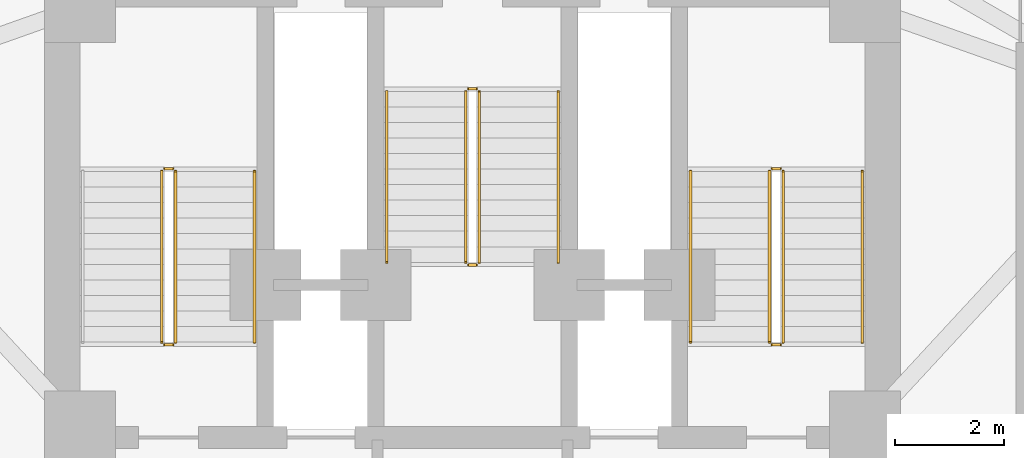
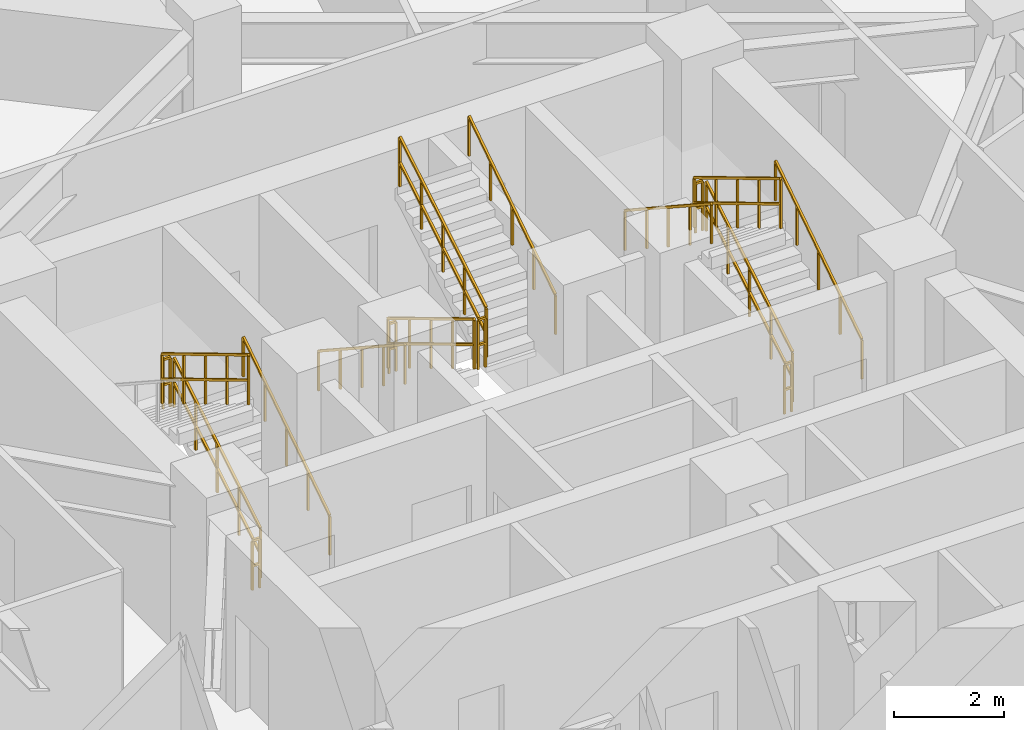
# One storey, part 13 of 14: 17 railings.
"""IFC4 building model written with IfcOpenShell, lengths in metres."""

from ifc_helpers import new_model, si_unit, direction, frame, origin, origin_2d, place, context, subcontext, project, spatial, rectangle, extrude, material, type_object, element, save


model = new_model("IFC4")

# Units and contexts
model_context = context("Model", 3, precision=1e-05, world=origin(), true_north=direction((0.0, 1.0)))
body_context = subcontext(model_context, "Body", "Model", "MODEL_VIEW")
ifc_project = project(units=[si_unit("LENGTHUNIT", "METRE"), si_unit("AREAUNIT", "SQUARE_METRE"), si_unit("VOLUMEUNIT", "CUBIC_METRE"), si_unit("PLANEANGLEUNIT", "RADIAN"), si_unit("MASSUNIT", "GRAM", prefix="KILO")], contexts=[model_context])

# Site, building, storey
site_placement = place(None, origin())
site = spatial("IfcSite", under=ifc_project, at=site_placement, CompositionType="ELEMENT")
building_placement = place(site_placement, origin())
building = spatial("IfcBuilding", under=site, at=building_placement, Name="Apsidion Concourse Tower", CompositionType="ELEMENT")
storey_placement = place(building_placement, frame((0.0, 0.0, 190.10009765625)))
storey = spatial("IfcBuildingStorey", under=building, at=storey_placement, Name="L44", CompositionType="ELEMENT", Elevation=190.10009765625)

# Railings
ifc_material = material(Name="Brushed stainless steel 316", Category="steel")
railing_type_1 = type_object("IfcRailingType", Name="RL-GUARD-1100", PredefinedType="GUARDRAIL", material=ifc_material)
railing_1_placement = place(storey_placement, frame((-5.449951171875, 3.0, 0.170654296875)))
element("IfcRailing", 1, at=railing_1_placement, inside=storey, type_object=railing_type_1, Name="L44 ST1 stair guard 1", PredefinedType="GUARDRAIL", context=body_context, shape_type="SweptSolid", body=[
    extrude(rectangle(XDim=0.048095703125, YDim=0.048095703125, at=origin_2d()), frame((0.0, 0.0, 1.09619140625), z_axis=(0.0, 0.857716804754, 0.514122439544), x_axis=(-1.0, 0.0, 0.0)), (0.0, 0.0, 1.0), 3.655029296875),
    extrude(rectangle(XDim=0.048095703125, YDim=0.048095703125, at=origin_2d()), frame((0.0, 0.0, 0.5361328125), z_axis=(0.0, 0.857716804754, 0.514122439544), x_axis=(-1.0, 0.0, 0.0)), (0.0, 0.0, 1.0), 3.655029296875),
    extrude(rectangle(XDim=0.0419921875, YDim=0.0419921875, at=origin_2d()), origin(), (0.0, 0.0, 1.0), 1.072021484375),
    extrude(rectangle(XDim=0.0419921875, YDim=0.0419921875, at=origin_2d()), frame((0.0, 0.78369140625, 0.4697265625)), (0.0, 0.0, 1.0), 1.072021484375),
    extrude(rectangle(XDim=0.0419921875, YDim=0.0419921875, at=origin_2d()), frame((0.0, 1.5673828125, 0.939453125)), (0.0, 0.0, 1.0), 1.072021484375),
    extrude(rectangle(XDim=0.0419921875, YDim=0.0419921875, at=origin_2d()), frame((0.0, 2.351318359375, 1.409423828125)), (0.0, 0.0, 1.0), 1.072021484375),
    extrude(rectangle(XDim=0.0419921875, YDim=0.0419921875, at=origin_2d()), frame((0.0, 3.135009765625, 1.879150390625)), (0.0, 0.0, 1.0), 1.072021484375),
])
railing_2_placement = place(storey_placement, frame((-5.5, 6.18505859375, 2.0498046875)))
element("IfcRailing", 2, at=railing_2_placement, inside=storey, type_object=railing_type_1, Name="L44 ST1 stair guard 2", PredefinedType="GUARDRAIL", context=body_context, shape_type="SweptSolid", body=[
    extrude(rectangle(XDim=0.048095703125, YDim=0.048095703125, at=origin_2d()), frame((0.0, 0.0, 1.09619140625), z_axis=(-1.0, 0.0, 0.0), x_axis=(0.0, -1.0, 0.0)), (0.0, 0.0, 1.0), 0.14990234375),
    extrude(rectangle(XDim=0.048095703125, YDim=0.048095703125, at=origin_2d()), frame((0.0, 0.0, 0.5361328125), z_axis=(-1.0, 0.0, 0.0), x_axis=(0.0, -1.0, 0.0)), (0.0, 0.0, 1.0), 0.14990234375),
    extrude(rectangle(XDim=0.0419921875, YDim=0.0419921875, at=origin_2d()), origin(), (0.0, 0.0, 1.0), 1.072021484375),
    extrude(rectangle(XDim=0.0419921875, YDim=0.0419921875, at=origin_2d()), frame((-0.14990234375, 0.0, 0.0)), (0.0, 0.0, 1.0), 1.072021484375),
])
railing_3_placement = place(storey_placement, frame((-5.699951171875, 6.135009765625, 2.220703125)))
element("IfcRailing", 3, at=railing_3_placement, inside=storey, type_object=railing_type_1, Name="L44 ST1 stair guard 3", PredefinedType="GUARDRAIL", context=body_context, shape_type="SweptSolid", body=[
    extrude(rectangle(XDim=0.048095703125, YDim=0.048095703125, at=origin_2d()), frame((0.0, 0.0, 1.09619140625), z_axis=(0.0, -0.857716804754, 0.514122439544), x_axis=(1.0, 0.0, 0.0)), (0.0, 0.0, 1.0), 3.655029296875),
    extrude(rectangle(XDim=0.048095703125, YDim=0.048095703125, at=origin_2d()), frame((0.0, 0.0, 0.5361328125), z_axis=(0.0, -0.857716804754, 0.514122439544), x_axis=(1.0, 0.0, 0.0)), (0.0, 0.0, 1.0), 3.655029296875),
    extrude(rectangle(XDim=0.0419921875, YDim=0.0419921875, at=origin_2d()), origin(), (0.0, 0.0, 1.0), 1.072021484375),
    extrude(rectangle(XDim=0.0419921875, YDim=0.0419921875, at=origin_2d()), frame((0.0, -0.78369140625, 0.4697265625)), (0.0, 0.0, 1.0), 1.072021484375),
    extrude(rectangle(XDim=0.0419921875, YDim=0.0419921875, at=origin_2d()), frame((0.0, -1.5673828125, 0.939453125)), (0.0, 0.0, 1.0), 1.072021484375),
    extrude(rectangle(XDim=0.0419921875, YDim=0.0419921875, at=origin_2d()), frame((0.0, -2.351318359375, 1.409423828125)), (0.0, 0.0, 1.0), 1.072021484375),
    extrude(rectangle(XDim=0.0419921875, YDim=0.0419921875, at=origin_2d()), frame((0.0, -3.135009765625, 1.879150390625)), (0.0, 0.0, 1.0), 1.072021484375),
])
railing_4_placement = place(storey_placement, frame((-5.5, 2.949951171875, 0.0)))
element("IfcRailing", 4, at=railing_4_placement, inside=storey, type_object=railing_type_1, Name="L44 ST1 stair guard 4", PredefinedType="GUARDRAIL", context=body_context, shape_type="SweptSolid", body=[
    extrude(rectangle(XDim=0.048095703125, YDim=0.048095703125, at=origin_2d()), frame((0.0, 0.0, 1.09619140625), z_axis=(-1.0, 0.0, 0.0), x_axis=(0.0, -1.0, 0.0)), (0.0, 0.0, 1.0), 0.14990234375),
    extrude(rectangle(XDim=0.048095703125, YDim=0.048095703125, at=origin_2d()), frame((0.0, 0.0, 0.5361328125), z_axis=(-1.0, 0.0, 0.0), x_axis=(0.0, -1.0, 0.0)), (0.0, 0.0, 1.0), 0.14990234375),
    extrude(rectangle(XDim=0.0419921875, YDim=0.0419921875, at=origin_2d()), origin(), (0.0, 0.0, 1.0), 1.072021484375),
    extrude(rectangle(XDim=0.0419921875, YDim=0.0419921875, at=origin_2d()), frame((-0.14990234375, 0.0, 0.0)), (0.0, 0.0, 1.0), 1.072021484375),
])
railing_5_placement = place(storey_placement, frame((5.699951171875, 3.0, 0.170654296875)))
element("IfcRailing", 5, at=railing_5_placement, inside=storey, type_object=railing_type_1, Name="L44 ST2 stair guard 1", PredefinedType="GUARDRAIL", context=body_context, shape_type="SweptSolid", body=[
    extrude(rectangle(XDim=0.048095703125, YDim=0.048095703125, at=origin_2d()), frame((0.0, 0.0, 1.09619140625), z_axis=(0.0, 0.857716804754, 0.514122439544), x_axis=(-1.0, 0.0, 0.0)), (0.0, 0.0, 1.0), 3.655029296875),
    extrude(rectangle(XDim=0.048095703125, YDim=0.048095703125, at=origin_2d()), frame((0.0, 0.0, 0.5361328125), z_axis=(0.0, 0.857716804754, 0.514122439544), x_axis=(-1.0, 0.0, 0.0)), (0.0, 0.0, 1.0), 3.655029296875),
    extrude(rectangle(XDim=0.0419921875, YDim=0.0419921875, at=origin_2d()), origin(), (0.0, 0.0, 1.0), 1.072021484375),
    extrude(rectangle(XDim=0.0419921875, YDim=0.0419921875, at=origin_2d()), frame((0.0, 0.78369140625, 0.4697265625)), (0.0, 0.0, 1.0), 1.072021484375),
    extrude(rectangle(XDim=0.0419921875, YDim=0.0419921875, at=origin_2d()), frame((0.0, 1.5673828125, 0.939453125)), (0.0, 0.0, 1.0), 1.072021484375),
    extrude(rectangle(XDim=0.0419921875, YDim=0.0419921875, at=origin_2d()), frame((0.0, 2.351318359375, 1.409423828125)), (0.0, 0.0, 1.0), 1.072021484375),
    extrude(rectangle(XDim=0.0419921875, YDim=0.0419921875, at=origin_2d()), frame((0.0, 3.135009765625, 1.879150390625)), (0.0, 0.0, 1.0), 1.072021484375),
])
railing_6_placement = place(storey_placement, frame((5.64990234375, 6.18505859375, 2.0498046875)))
element("IfcRailing", 6, at=railing_6_placement, inside=storey, type_object=railing_type_1, Name="L44 ST2 stair guard 2", PredefinedType="GUARDRAIL", context=body_context, shape_type="SweptSolid", body=[
    extrude(rectangle(XDim=0.048095703125, YDim=0.048095703125, at=origin_2d()), frame((0.0, 0.0, 1.09619140625), z_axis=(-1.0, 0.0, 0.0), x_axis=(0.0, -1.0, 0.0)), (0.0, 0.0, 1.0), 0.14990234375),
    extrude(rectangle(XDim=0.048095703125, YDim=0.048095703125, at=origin_2d()), frame((0.0, 0.0, 0.5361328125), z_axis=(-1.0, 0.0, 0.0), x_axis=(0.0, -1.0, 0.0)), (0.0, 0.0, 1.0), 0.14990234375),
    extrude(rectangle(XDim=0.0419921875, YDim=0.0419921875, at=origin_2d()), origin(), (0.0, 0.0, 1.0), 1.072021484375),
    extrude(rectangle(XDim=0.0419921875, YDim=0.0419921875, at=origin_2d()), frame((-0.14990234375, 0.0, 0.0)), (0.0, 0.0, 1.0), 1.072021484375),
])
railing_7_placement = place(storey_placement, frame((5.449951171875, 6.135009765625, 2.220703125)))
element("IfcRailing", 7, at=railing_7_placement, inside=storey, type_object=railing_type_1, Name="L44 ST2 stair guard 3", PredefinedType="GUARDRAIL", context=body_context, shape_type="SweptSolid", body=[
    extrude(rectangle(XDim=0.048095703125, YDim=0.048095703125, at=origin_2d()), frame((0.0, 0.0, 1.09619140625), z_axis=(0.0, -0.857716804754, 0.514122439544), x_axis=(1.0, 0.0, 0.0)), (0.0, 0.0, 1.0), 3.655029296875),
    extrude(rectangle(XDim=0.048095703125, YDim=0.048095703125, at=origin_2d()), frame((0.0, 0.0, 0.5361328125), z_axis=(0.0, -0.857716804754, 0.514122439544), x_axis=(1.0, 0.0, 0.0)), (0.0, 0.0, 1.0), 3.655029296875),
    extrude(rectangle(XDim=0.0419921875, YDim=0.0419921875, at=origin_2d()), origin(), (0.0, 0.0, 1.0), 1.072021484375),
    extrude(rectangle(XDim=0.0419921875, YDim=0.0419921875, at=origin_2d()), frame((0.0, -0.78369140625, 0.4697265625)), (0.0, 0.0, 1.0), 1.072021484375),
    extrude(rectangle(XDim=0.0419921875, YDim=0.0419921875, at=origin_2d()), frame((0.0, -1.5673828125, 0.939453125)), (0.0, 0.0, 1.0), 1.072021484375),
    extrude(rectangle(XDim=0.0419921875, YDim=0.0419921875, at=origin_2d()), frame((0.0, -2.351318359375, 1.409423828125)), (0.0, 0.0, 1.0), 1.072021484375),
    extrude(rectangle(XDim=0.0419921875, YDim=0.0419921875, at=origin_2d()), frame((0.0, -3.135009765625, 1.879150390625)), (0.0, 0.0, 1.0), 1.072021484375),
])
railing_8_placement = place(storey_placement, frame((5.64990234375, 2.949951171875, 0.0)))
element("IfcRailing", 8, at=railing_8_placement, inside=storey, type_object=railing_type_1, Name="L44 ST2 stair guard 4", PredefinedType="GUARDRAIL", context=body_context, shape_type="SweptSolid", body=[
    extrude(rectangle(XDim=0.048095703125, YDim=0.048095703125, at=origin_2d()), frame((0.0, 0.0, 1.09619140625), z_axis=(-1.0, 0.0, 0.0), x_axis=(0.0, -1.0, 0.0)), (0.0, 0.0, 1.0), 0.14990234375),
    extrude(rectangle(XDim=0.048095703125, YDim=0.048095703125, at=origin_2d()), frame((0.0, 0.0, 0.5361328125), z_axis=(-1.0, 0.0, 0.0), x_axis=(0.0, -1.0, 0.0)), (0.0, 0.0, 1.0), 0.14990234375),
    extrude(rectangle(XDim=0.0419921875, YDim=0.0419921875, at=origin_2d()), origin(), (0.0, 0.0, 1.0), 1.072021484375),
    extrude(rectangle(XDim=0.0419921875, YDim=0.0419921875, at=origin_2d()), frame((-0.14990234375, 0.0, 0.0)), (0.0, 0.0, 1.0), 1.072021484375),
])
railing_9_placement = place(storey_placement, frame((-0.125, 7.60009765625, 0.170654296875)))
element("IfcRailing", 9, at=railing_9_placement, inside=storey, type_object=railing_type_1, Name="L44 ST3 stair guard 1", PredefinedType="GUARDRAIL", context=body_context, shape_type="SweptSolid", body=[
    extrude(rectangle(XDim=0.048095703125, YDim=0.048095703125, at=origin_2d()), frame((0.0, 0.0, 1.09619140625), z_axis=(0.0, -0.857716804754, 0.514122439544), x_axis=(1.0, 0.0, 0.0)), (0.0, 0.0, 1.0), 3.655029296875),
    extrude(rectangle(XDim=0.048095703125, YDim=0.048095703125, at=origin_2d()), frame((0.0, 0.0, 0.5361328125), z_axis=(0.0, -0.857716804754, 0.514122439544), x_axis=(1.0, 0.0, 0.0)), (0.0, 0.0, 1.0), 3.655029296875),
    extrude(rectangle(XDim=0.0419921875, YDim=0.0419921875, at=origin_2d()), origin(), (0.0, 0.0, 1.0), 1.072021484375),
    extrude(rectangle(XDim=0.0419921875, YDim=0.0419921875, at=origin_2d()), frame((0.0, -0.78369140625, 0.4697265625)), (0.0, 0.0, 1.0), 1.072021484375),
    extrude(rectangle(XDim=0.0419921875, YDim=0.0419921875, at=origin_2d()), frame((0.0, -1.5673828125, 0.939453125)), (0.0, 0.0, 1.0), 1.072021484375),
    extrude(rectangle(XDim=0.0419921875, YDim=0.0419921875, at=origin_2d()), frame((0.0, -2.351318359375, 1.409423828125)), (0.0, 0.0, 1.0), 1.072021484375),
    extrude(rectangle(XDim=0.0419921875, YDim=0.0419921875, at=origin_2d()), frame((0.0, -3.135009765625, 1.879150390625)), (0.0, 0.0, 1.0), 1.072021484375),
])
railing_10_placement = place(storey_placement, frame((-0.074951171875, 4.4150390625, 2.0498046875)))
element("IfcRailing", 10, at=railing_10_placement, inside=storey, type_object=railing_type_1, Name="L44 ST3 stair guard 2", PredefinedType="GUARDRAIL", context=body_context, shape_type="SweptSolid", body=[
    extrude(rectangle(XDim=0.048095703125, YDim=0.048095703125, at=origin_2d()), frame((0.0, 0.0, 1.09619140625), z_axis=(1.0, 0.0, 0.0), x_axis=(0.0, 1.0, 0.0)), (0.0, 0.0, 1.0), 0.14990234375),
    extrude(rectangle(XDim=0.048095703125, YDim=0.048095703125, at=origin_2d()), frame((0.0, 0.0, 0.5361328125), z_axis=(1.0, 0.0, 0.0), x_axis=(0.0, 1.0, 0.0)), (0.0, 0.0, 1.0), 0.14990234375),
    extrude(rectangle(XDim=0.0419921875, YDim=0.0419921875, at=origin_2d()), origin(), (0.0, 0.0, 1.0), 1.072021484375),
    extrude(rectangle(XDim=0.0419921875, YDim=0.0419921875, at=origin_2d()), frame((0.14990234375, 0.0, 0.0)), (0.0, 0.0, 1.0), 1.072021484375),
])
railing_11_placement = place(storey_placement, frame((0.125, 4.465087890625, 2.220703125)))
element("IfcRailing", 11, at=railing_11_placement, inside=storey, type_object=railing_type_1, Name="L44 ST3 stair guard 3", PredefinedType="GUARDRAIL", context=body_context, shape_type="SweptSolid", body=[
    extrude(rectangle(XDim=0.048095703125, YDim=0.048095703125, at=origin_2d()), frame((0.0, 0.0, 1.09619140625), z_axis=(0.0, 0.857716804754, 0.514122439544), x_axis=(-1.0, 0.0, 0.0)), (0.0, 0.0, 1.0), 3.655029296875),
    extrude(rectangle(XDim=0.048095703125, YDim=0.048095703125, at=origin_2d()), frame((0.0, 0.0, 0.5361328125), z_axis=(0.0, 0.857716804754, 0.514122439544), x_axis=(-1.0, 0.0, 0.0)), (0.0, 0.0, 1.0), 3.655029296875),
    extrude(rectangle(XDim=0.0419921875, YDim=0.0419921875, at=origin_2d()), origin(), (0.0, 0.0, 1.0), 1.072021484375),
    extrude(rectangle(XDim=0.0419921875, YDim=0.0419921875, at=origin_2d()), frame((0.0, 0.78369140625, 0.4697265625)), (0.0, 0.0, 1.0), 1.072021484375),
    extrude(rectangle(XDim=0.0419921875, YDim=0.0419921875, at=origin_2d()), frame((0.0, 1.5673828125, 0.939453125)), (0.0, 0.0, 1.0), 1.072021484375),
    extrude(rectangle(XDim=0.0419921875, YDim=0.0419921875, at=origin_2d()), frame((0.0, 2.351318359375, 1.409423828125)), (0.0, 0.0, 1.0), 1.072021484375),
    extrude(rectangle(XDim=0.0419921875, YDim=0.0419921875, at=origin_2d()), frame((0.0, 3.135009765625, 1.879150390625)), (0.0, 0.0, 1.0), 1.072021484375),
])
railing_12_placement = place(storey_placement, frame((-0.074951171875, 7.64990234375, 0.0)))
element("IfcRailing", 12, at=railing_12_placement, inside=storey, type_object=railing_type_1, Name="L44 ST3 stair guard 4", PredefinedType="GUARDRAIL", context=body_context, shape_type="SweptSolid", body=[
    extrude(rectangle(XDim=0.048095703125, YDim=0.048095703125, at=origin_2d()), frame((0.0, 0.0, 1.09619140625), z_axis=(1.0, 0.0, 0.0), x_axis=(0.0, 1.0, 0.0)), (0.0, 0.0, 1.0), 0.14990234375),
    extrude(rectangle(XDim=0.048095703125, YDim=0.048095703125, at=origin_2d()), frame((0.0, 0.0, 0.5361328125), z_axis=(1.0, 0.0, 0.0), x_axis=(0.0, 1.0, 0.0)), (0.0, 0.0, 1.0), 0.14990234375),
    extrude(rectangle(XDim=0.0419921875, YDim=0.0419921875, at=origin_2d()), origin(), (0.0, 0.0, 1.0), 1.072021484375),
    extrude(rectangle(XDim=0.0419921875, YDim=0.0419921875, at=origin_2d()), frame((0.14990234375, 0.0, 0.0)), (0.0, 0.0, 1.0), 1.072021484375),
])
railing_type_2 = type_object("IfcRailingType", Name="RL-HAND-900", PredefinedType="HANDRAIL", material=ifc_material)
for number, where, name in (
    (13, (-4.0, 3.0, 0.170654296875), "L44 ST1 stair handrail 1"),
    (14, (7.14990234375, 3.0, 0.170654296875), "L44 ST2 stair handrail 1"),
):
    element("IfcRailing", number, at=place(storey_placement, frame(where)), inside=storey, type_object=railing_type_2, Name=name, PredefinedType="HANDRAIL", context=body_context, shape_type="SweptSolid", body=[
        extrude(rectangle(XDim=0.048095703125, YDim=0.048095703125, at=origin_2d()), frame((0.0, 0.0, 0.8759765625), z_axis=(0.0, 0.836940907821, 0.547293263996), x_axis=(-1.0, 0.0, 0.0)), (0.0, 0.0, 1.0), 3.745849609375),
        extrude(rectangle(XDim=0.0419921875, YDim=0.0419921875, at=origin_2d()), origin(), (0.0, 0.0, 1.0), 0.851806640625),
        extrude(rectangle(XDim=0.0419921875, YDim=0.0419921875, at=origin_2d()), frame((0.0, 0.78369140625, 0.512451171875)), (0.0, 0.0, 1.0), 0.851806640625),
        extrude(rectangle(XDim=0.0419921875, YDim=0.0419921875, at=origin_2d()), frame((0.0, 1.5673828125, 1.02490234375)), (0.0, 0.0, 1.0), 0.851806640625),
        extrude(rectangle(XDim=0.0419921875, YDim=0.0419921875, at=origin_2d()), frame((0.0, 2.351318359375, 1.53759765625)), (0.0, 0.0, 1.0), 0.851806640625),
        extrude(rectangle(XDim=0.0419921875, YDim=0.0419921875, at=origin_2d()), frame((0.0, 3.135009765625, 2.050048828125)), (0.0, 0.0, 1.0), 0.851806640625),
    ])
for number, where, name in (
    (15, (4.0, 6.135009765625, 2.220703125), "L44 ST2 stair handrail 2"),
    (16, (-1.574951171875, 7.60009765625, 0.170654296875), "L44 ST3 stair handrail 1"),
):
    element("IfcRailing", number, at=place(storey_placement, frame(where)), inside=storey, type_object=railing_type_2, Name=name, PredefinedType="HANDRAIL", context=body_context, shape_type="SweptSolid", body=[
        extrude(rectangle(XDim=0.048095703125, YDim=0.048095703125, at=origin_2d()), frame((0.0, 0.0, 0.8759765625), z_axis=(0.0, -0.836940907821, 0.547293263996), x_axis=(1.0, 0.0, 0.0)), (0.0, 0.0, 1.0), 3.745849609375),
        extrude(rectangle(XDim=0.0419921875, YDim=0.0419921875, at=origin_2d()), origin(), (0.0, 0.0, 1.0), 0.851806640625),
        extrude(rectangle(XDim=0.0419921875, YDim=0.0419921875, at=origin_2d()), frame((0.0, -0.78369140625, 0.512451171875)), (0.0, 0.0, 1.0), 0.851806640625),
        extrude(rectangle(XDim=0.0419921875, YDim=0.0419921875, at=origin_2d()), frame((0.0, -1.5673828125, 1.02490234375)), (0.0, 0.0, 1.0), 0.851806640625),
        extrude(rectangle(XDim=0.0419921875, YDim=0.0419921875, at=origin_2d()), frame((0.0, -2.351318359375, 1.53759765625)), (0.0, 0.0, 1.0), 0.851806640625),
        extrude(rectangle(XDim=0.0419921875, YDim=0.0419921875, at=origin_2d()), frame((0.0, -3.135009765625, 2.050048828125)), (0.0, 0.0, 1.0), 0.851806640625),
    ])
railing_13_placement = place(storey_placement, frame((1.574951171875, 4.465087890625, 2.220703125)))
element("IfcRailing", 17, at=railing_13_placement, inside=storey, type_object=railing_type_2, Name="L44 ST3 stair handrail 2", PredefinedType="HANDRAIL", context=body_context, shape_type="SweptSolid", body=[
    extrude(rectangle(XDim=0.048095703125, YDim=0.048095703125, at=origin_2d()), frame((0.0, 0.0, 0.8759765625), z_axis=(0.0, 0.836940907821, 0.547293263996), x_axis=(-1.0, 0.0, 0.0)), (0.0, 0.0, 1.0), 3.745849609375),
    extrude(rectangle(XDim=0.0419921875, YDim=0.0419921875, at=origin_2d()), origin(), (0.0, 0.0, 1.0), 0.851806640625),
    extrude(rectangle(XDim=0.0419921875, YDim=0.0419921875, at=origin_2d()), frame((0.0, 0.78369140625, 0.512451171875)), (0.0, 0.0, 1.0), 0.851806640625),
    extrude(rectangle(XDim=0.0419921875, YDim=0.0419921875, at=origin_2d()), frame((0.0, 1.5673828125, 1.02490234375)), (0.0, 0.0, 1.0), 0.851806640625),
    extrude(rectangle(XDim=0.0419921875, YDim=0.0419921875, at=origin_2d()), frame((0.0, 2.351318359375, 1.53759765625)), (0.0, 0.0, 1.0), 0.851806640625),
    extrude(rectangle(XDim=0.0419921875, YDim=0.0419921875, at=origin_2d()), frame((0.0, 3.135009765625, 2.050048828125)), (0.0, 0.0, 1.0), 0.851806640625),
])

save(model, "model.ifc")
